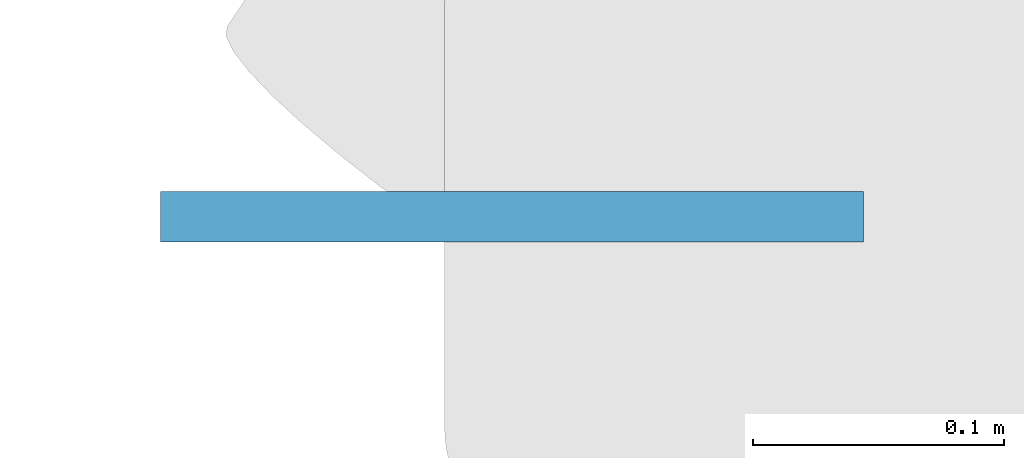
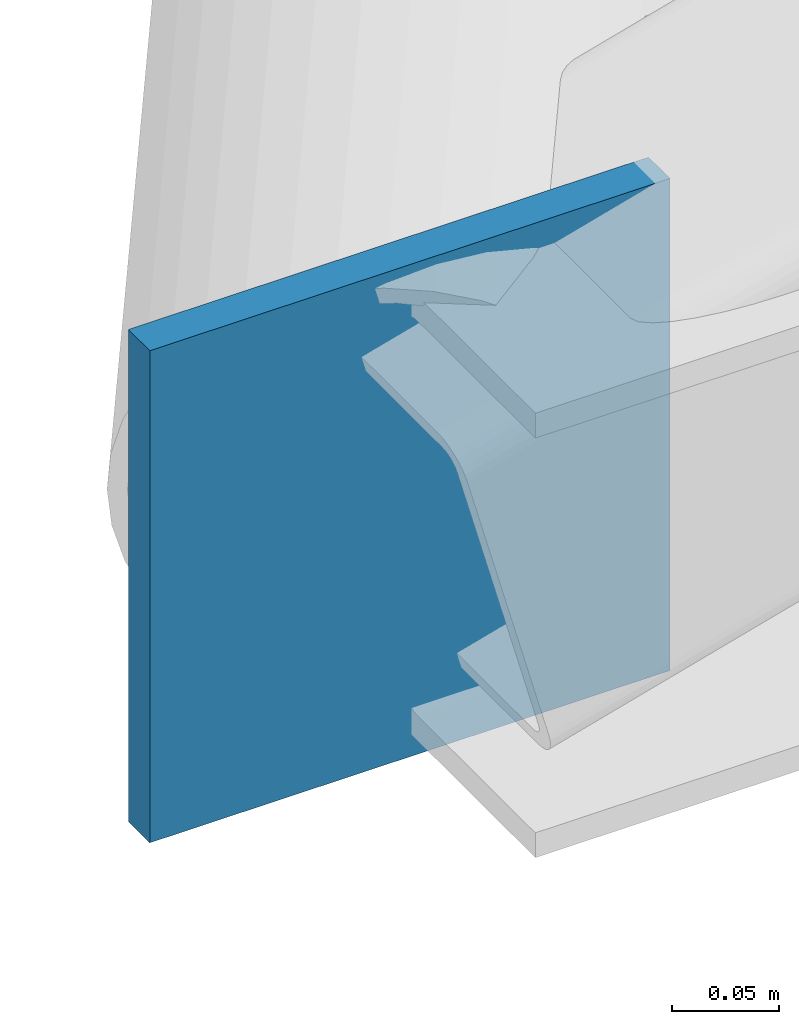
# One storey, part 11 of 27: 1 plate.
"""IFC4 building model written with IfcOpenShell, lengths in metres."""

import ifcopenshell
import ifcopenshell.guid

model = None  # the IFC model being written
_history = None  # IfcOwnerHistory: only IFC2X3 demands one
_inside = {}  # id of a spatial element -> (the spatial element, [elements in it])
_under = {}  # id of a project, library or spatial element -> (it, [spatial elements below it])
_declared = {}  # id of a project -> (the project, [libraries it declares])
_typed = {}  # id of a type object -> (the type object, [elements of that type])
_made_of = {}  # id of a material, layer set ... -> (it, [elements and type objects made of it])


def new_model(schema):
    """Start an empty IFC model of exactly this schema.

    Asked for "IFC4X3", IfcOpenShell would pick the latest addendum, in which some entities
    have other attributes; the version numbers below select the first issue.
    IFC2X3 requires an IfcOwnerHistory on every rooted entity: one is made here for all.
    """
    global model, _history
    if schema == "IFC4X3":
        model = ifcopenshell.file(schema_version=(4, 3, 0, 0))
    else:
        model = ifcopenshell.file(schema=schema)
    _inside.clear()
    _under.clear()
    _declared.clear()
    _typed.clear()
    _made_of.clear()
    _history = None
    if model.schema == "IFC2X3":
        org = make("IfcOrganization", Name="unknown")
        user = make(
            "IfcPersonAndOrganization",
            ThePerson=make("IfcPerson", FamilyName="unknown"),
            TheOrganization=org,
        )
        app = make(
            "IfcApplication",
            ApplicationDeveloper=org,
            Version="unknown",
            ApplicationFullName="unknown",
            ApplicationIdentifier="unknown",
        )
        _history = make(
            "IfcOwnerHistory",
            OwningUser=user,
            OwningApplication=app,
            ChangeAction="ADDED",
            CreationDate=0,
        )
    return model


def make(cls, **values):
    """One entity of the class cls with the attributes given. An attribute that is None is left unset."""
    return model.create_entity(
        cls, **{name: value for name, value in values.items() if value is not None}
    )


def rooted(cls, **values):
    """An entity with a GlobalId (a new one), such as an element, a storey or a relation."""
    return make(cls, GlobalId=ifcopenshell.guid.new(), OwnerHistory=_history, **values)


def si_unit(unit_type, name, prefix=None):
    """IfcSIUnit, for example si_unit("LENGTHUNIT", "METRE", prefix="MILLI")."""
    return make("IfcSIUnit", UnitType=unit_type, Prefix=prefix, Name=name)


def assignment(units):
    """IfcUnitAssignment: the units of a project."""
    return None if units is None else make("IfcUnitAssignment", Units=units)


def point(xyz):
    """IfcCartesianPoint."""
    return None if xyz is None else make("IfcCartesianPoint", Coordinates=xyz)


def direction(xyz):
    """IfcDirection."""
    return None if xyz is None else make("IfcDirection", DirectionRatios=xyz)


def frame(location, z_axis=None, x_axis=None):
    """IfcAxis2Placement3D, a coordinate frame: its origin and axes. An axis left out is left unset."""
    return make(
        "IfcAxis2Placement3D",
        Location=point(location),
        Axis=direction(z_axis),
        RefDirection=direction(x_axis),
    )


def frame_2d(location, x_axis=None):
    """IfcAxis2Placement2D, a coordinate frame in the plane: its origin and x axis."""
    return make(
        "IfcAxis2Placement2D", Location=point(location), RefDirection=direction(x_axis)
    )


def origin():
    """The frame at (0, 0, 0) with its axes left unset."""
    return frame((0.0, 0.0, 0.0))


def origin_2d():
    """The frame at (0, 0) in the plane with its x axis left unset."""
    return frame_2d((0.0, 0.0))


def place(relative_to, where):
    """IfcLocalPlacement: puts the frame where relative to a parent placement (None: the world)."""
    return make(
        "IfcLocalPlacement", PlacementRelTo=relative_to, RelativePlacement=where
    )


def context(
    kind, dimensions, precision=None, world=None, true_north=None, identifier=None
):
    """IfcGeometricRepresentationContext, for example the 3D "Model" context."""
    return make(
        "IfcGeometricRepresentationContext",
        ContextIdentifier=identifier,
        ContextType=kind,
        CoordinateSpaceDimension=dimensions,
        Precision=precision,
        WorldCoordinateSystem=world,
        TrueNorth=true_north,
    )


def subcontext(parent, identifier, kind, view, scale=None):
    """IfcGeometricRepresentationSubContext, for example "Body" below "Model"."""
    return make(
        "IfcGeometricRepresentationSubContext",
        ContextIdentifier=identifier,
        ContextType=kind,
        ParentContext=parent,
        TargetScale=scale,
        TargetView=view,
    )


def project(units=None, contexts=None):
    """IfcProject with its units and contexts."""
    return rooted(
        "IfcProject",
        Name="project",
        RepresentationContexts=contexts,
        UnitsInContext=assignment(units),
    )


def spatial(cls, under=None, at=None, **own):
    """A site, building, storey or space (cls), placed at a placement, below another one or the project."""
    s = rooted(cls, ObjectPlacement=at, **own)
    if under is not None:
        _under.setdefault(under.id(), (under, []))[1].append(s)
    return s


def profile(cls, at=None, kind="AREA", **sizes):
    """A parametric profile (cls). Its sizes go by their IFC names, for example OverallWidth=200.0."""
    return make(cls, ProfileType=kind, Position=at, **sizes)


def rectangle(**sizes):
    """IfcRectangleProfileDef."""
    return profile("IfcRectangleProfileDef", **sizes)


def extrude(swept, where, along, depth):
    """IfcExtrudedAreaSolid: the profile swept, set in the frame where, extruded along a direction by depth."""
    return make(
        "IfcExtrudedAreaSolid",
        SweptArea=swept,
        Position=where,
        ExtrudedDirection=direction(along),
        Depth=depth,
    )


def shape(context_of_items, identifier, shape_type, items):
    """IfcShapeRepresentation: the items that make up one representation, for example the "Body"."""
    return make(
        "IfcShapeRepresentation",
        ContextOfItems=context_of_items,
        RepresentationIdentifier=identifier,
        RepresentationType=shape_type,
        Items=items,
    )


def material(Name=None, Category=None):
    """IfcMaterial."""
    return make("IfcMaterial", Name=Name, Category=Category)


def layer(
    of_material, thickness, ventilated=None, Name=None, Category=None, Priority=None
):
    """IfcMaterialLayer: one layer of a wall or slab, of a material (None: an air gap)."""
    return make(
        "IfcMaterialLayer",
        Material=of_material,
        LayerThickness=thickness,
        IsVentilated=ventilated,
        Name=Name,
        Category=Category,
        Priority=Priority,
    )


def layer_set(layers, Name=None):
    """IfcMaterialLayerSet."""
    return make("IfcMaterialLayerSet", MaterialLayers=layers, LayerSetName=Name)


def made_of(thing, what):
    """Note that an element or type object is made of a material, layer set ...; save() writes the relation."""
    if what is not None:
        _made_of.setdefault(what.id(), (what, []))[1].append(thing)
    return thing


def type_object(cls, material=None, **own):
    """A type object (cls), such as IfcWallType, which elements share."""
    return made_of(rooted(cls, **own), material)


def element(
    cls,
    number,
    at=None,
    inside=None,
    cuts=None,
    type_object=None,
    material=None,
    context=None,
    identifier="Body",
    shape_type=None,
    held_by="IfcProductDefinitionShape",
    body=None,
    shapes=None,
    **own,
):
    """One element of the class cls, such as IfcWall. Its Tag is "e" and its number.

    at: its placement. inside: the storey or other place that contains it. cuts: it is an
    opening in that element (IfcRelVoidsElement). A single representation is given by context,
    identifier, shape_type and body (its items); several are given by shapes. held_by: the class
    of the entity that holds the representations. save() writes the other relations.
    """
    e = rooted(cls, Tag="e%d" % number, ObjectPlacement=at, **own)
    if body is not None:
        shapes = [shape(context, identifier, shape_type, body)]
    if shapes is not None:
        e.Representation = make(held_by, Representations=shapes)
    if inside is not None:
        _inside.setdefault(inside.id(), (inside, []))[1].append(e)
    if cuts is not None:
        rooted(
            "IfcRelVoidsElement", RelatingBuildingElement=cuts, RelatedOpeningElement=e
        )
    if type_object is not None:
        _typed.setdefault(type_object.id(), (type_object, []))[1].append(e)
    return made_of(e, material)


def aggregate(whole, parts):
    """IfcRelAggregates: a whole, such as a stair, and the parts it consists of."""
    return rooted("IfcRelAggregates", RelatingObject=whole, RelatedObjects=parts)


def save(model, path):
    """Write the relations noted so far, then the file.

    IfcRelAggregates (storeys below a building ...), IfcRelContainedInSpatialStructure (elements
    in a storey), IfcRelDefinesByType, IfcRelAssociatesMaterial and IfcRelDeclares: one each for
    every whole, place, type object, material and project.
    """
    for whole, parts in _under.values():
        aggregate(whole, parts)
    for where, things in _inside.values():
        rooted(
            "IfcRelContainedInSpatialStructure",
            RelatedElements=things,
            RelatingStructure=where,
        )
    for kind, things in _typed.values():
        rooted("IfcRelDefinesByType", RelatedObjects=things, RelatingType=kind)
    for what, things in _made_of.values():
        rooted("IfcRelAssociatesMaterial", RelatedObjects=things, RelatingMaterial=what)
    for by, libraries in _declared.values():
        rooted("IfcRelDeclares", RelatingContext=by, RelatedDefinitions=libraries)
    model.write(path)


model = new_model("IFC4")

# Units and contexts
model_context = context("Model", 3, precision=1e-05, world=origin(), true_north=direction((0.0, 1.0)))
body_context = subcontext(model_context, "Body", "Model", "MODEL_VIEW")
ifc_project = project(units=[si_unit("LENGTHUNIT", "METRE"), si_unit("AREAUNIT", "SQUARE_METRE"), si_unit("VOLUMEUNIT", "CUBIC_METRE"), si_unit("PLANEANGLEUNIT", "RADIAN"), si_unit("MASSUNIT", "GRAM", prefix="KILO")], contexts=[model_context])

# Site, building, storey
site_placement = place(None, origin())
site = spatial("IfcSite", under=ifc_project, at=site_placement, CompositionType="ELEMENT")
building_placement = place(site_placement, origin())
building = spatial("IfcBuilding", under=site, at=building_placement, Name="Verrall Gate Interchange", CompositionType="ELEMENT")
storey_placement = place(building_placement, frame((0.0, 0.0, 32.800048828125)))
storey = spatial("IfcBuildingStorey", under=building, at=storey_placement, Name="RF", CompositionType="ELEMENT", Elevation=32.800048828125)

# Plate
ifc_material = material(Name="Structural Steel CSA G40.21 350WT Cat 4", Category="steel")
ifc_layer = layer(ifc_material, 0.02001953125)
ifc_layer_set = layer_set([ifc_layer], Name="Structural Steel CSA G40.21 350WT Cat 4")
plate_type = type_object("IfcPlateType", Name="GP-01 Gusset Plate 20", PredefinedType="SHEET", material=ifc_layer_set)
plate_placement = place(storey_placement, frame((36.0, 42.0, -16.9482421875), z_axis=(0.0, 0.0, 1.0), x_axis=(1.0, 0.0, 0.0)))
element("IfcPlate", 1, at=plate_placement, inside=storey, type_object=plate_type, Name="Folded-Plate Valley Gusset Node KN-V1-0-5", PredefinedType="SHEET", context=body_context, shape_type="SweptSolid", body=[
    extrude(rectangle(XDim=0.280029296875, YDim=0.02001953125, at=origin_2d()), origin(), (0.0, 0.0, 1.0), 0.280029296875),
])

save(model, "model.ifc")
